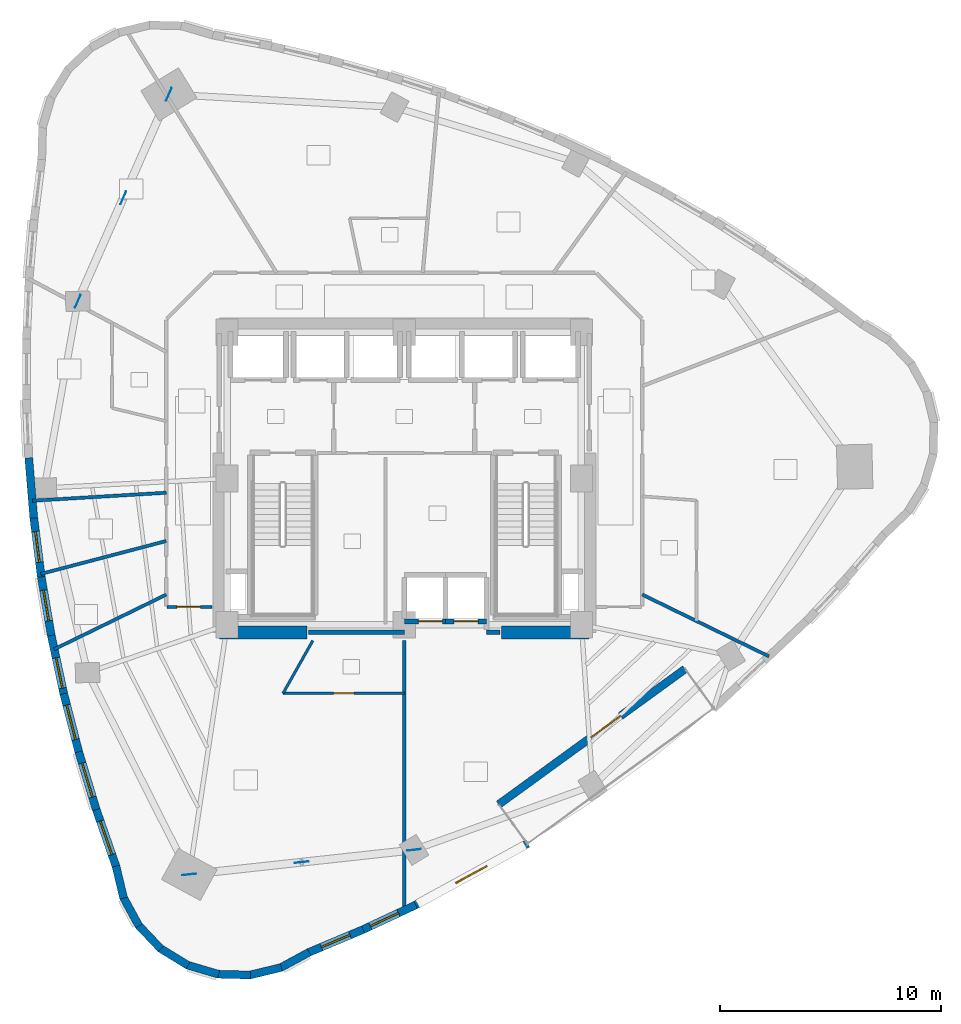
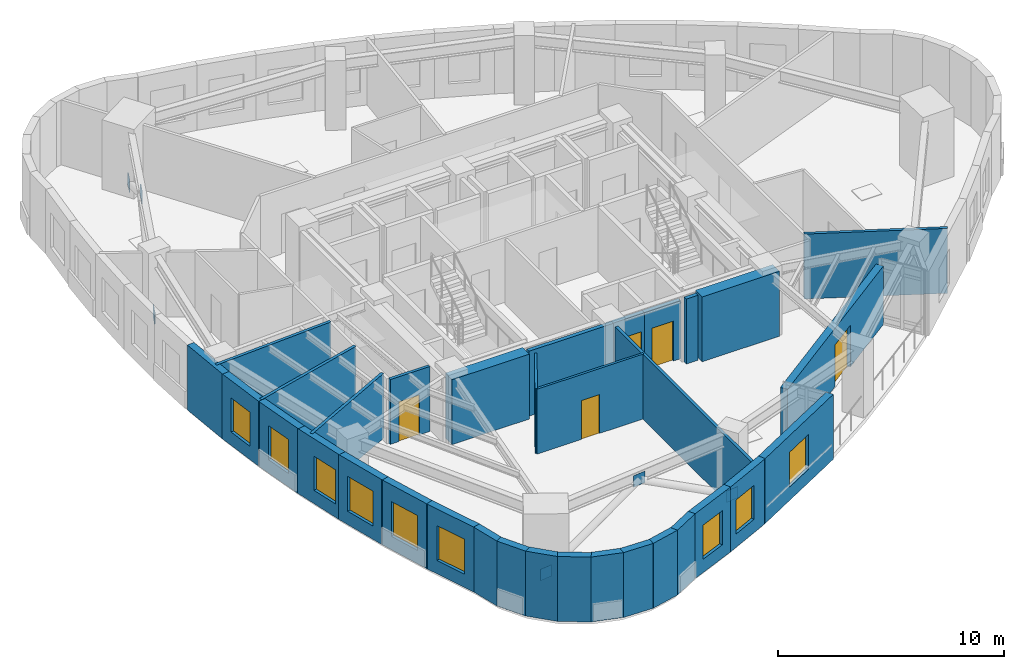
# One storey, part 5 of 12: 33 walls, 9 windows, 6 plates, 5 doors, 14 openings.
"""IFC4 building model written with IfcOpenShell, lengths in metres."""

from ifc_helpers import new_model, si_unit, direction, frame, frame_2d, origin, origin_2d, place, context, subcontext, project, spatial, rectangle, extrude, material, layer, layer_set, type_object, element, fill, save


model = new_model("IFC4")

# Units and contexts
model_context = context("Model", 3, precision=1e-05, world=origin(), true_north=direction((0.0, 1.0)))
body_context = subcontext(model_context, "Body", "Model", "MODEL_VIEW")
ifc_project = project(units=[si_unit("LENGTHUNIT", "METRE"), si_unit("AREAUNIT", "SQUARE_METRE"), si_unit("VOLUMEUNIT", "CUBIC_METRE"), si_unit("PLANEANGLEUNIT", "RADIAN"), si_unit("MASSUNIT", "GRAM", prefix="KILO")], contexts=[model_context])

# Site, building, storey
site_placement = place(None, origin())
site = spatial("IfcSite", under=ifc_project, at=site_placement, CompositionType="ELEMENT")
building_placement = place(site_placement, origin())
building = spatial("IfcBuilding", under=site, at=building_placement, Name="Ndelora Gate Hotel", CompositionType="ELEMENT")
storey_placement = place(building_placement, frame((0.0, 0.0, 149.75)))
storey = spatial("IfcBuildingStorey", under=building, at=storey_placement, Name="L37", CompositionType="ELEMENT", Elevation=149.75)

# Plates
ifc_material_1 = material(Name="Steel S355", Category="steel")
ifc_layer_1 = layer(ifc_material_1, 0.02001953125)
ifc_layer_set_1 = layer_set([ifc_layer_1], Name="Steel S355")
plate_type = type_object("IfcPlateType", Name="PL-NODE-VN1", PredefinedType="USERDEFINED", material=ifc_layer_set_1)
for number, where, z_axis, x_axis, name in (
    (1, (-10.63330078125, 17.351806640625, -0.2900390625), (0.0, 0.0, 1.0), (0.402906435714, 0.915241172621, 0.0), "Node gusset cap plate VN1"),
    (2, (-14.74658203125, 8.006591796875, -0.2900390625), (0.0, 0.0, 1.0), (0.402906435714, 0.915241172621, 0.0), "Node gusset cap plate VN1"),
    (3, (-12.68994140625, 12.67919921875, 2.639892578125), (0.0, 0.0, 1.0), (0.402906435714, 0.915241172621, 0.0), "Node gusset cap plate VN1"),
    (4, (-9.71044921875, -17.884521484375, -0.2900390625), (0.0, 0.0, 1.0), (0.994075323936, 0.108693377634, 0.0), "Node gusset cap plate VN1"),
    (5, (0.439208984375, -16.7744140625, -0.2900390625), (0.0, 0.0, 1.0), (0.994075323936, 0.108693377634, 0.0), "Node gusset cap plate VN1"),
    (6, (-4.6357421875, -17.32958984375, 2.639892578125), (0.0, 0.0, 1.0), (0.994075323936, 0.108693377634, 0.0), "Node gusset cap plate VN1"),
):
    element("IfcPlate", number, at=place(storey_placement, frame(where, z_axis=z_axis, x_axis=x_axis)), inside=storey, type_object=plate_type, Name=name, ObjectType="GUSSET_PLATE", PredefinedType="USERDEFINED", context=body_context, shape_type="SweptSolid", body=[
        extrude(rectangle(XDim=0.6201171875, YDim=0.02001953125, at=origin_2d()), origin(), (0.0, 0.0, 1.0), 0.6201171875),
    ])

# Wall, opening, door
ifc_material_2 = material(Name="Clay Brick Masonry", Category="masonry")
ifc_layer_2 = layer(ifc_material_2, 0.360107421875)
ifc_layer_set_2 = layer_set([ifc_layer_2], Name="Clay Brick Masonry")
wall_type_1 = type_object("IfcWallType", Name="WL-BRICK-360", PredefinedType="SOLIDWALL", material=ifc_layer_set_2)
wall_1_placement = place(storey_placement, frame((12.68017578125, -8.60595703125, 0.0), z_axis=(0.0, 0.0, 1.0), x_axis=(-0.809015154073, -0.587787785243, 0.0)))
wall_1 = element("IfcWall", 7, at=wall_1_placement, inside=storey, type_object=wall_type_1, Name="L37 Sky-Garden Loggia Rear Brick Wall", PredefinedType="SOLIDWALL", context=body_context, shape_type="SweptSolid", body=[
    extrude(rectangle(XDim=10.400146484375, YDim=0.360107421875, at=frame_2d((5.2001953125, 0.0))), origin(), (0.0, 0.0, 1.0), 3.14990234375),
])
opening_1_placement = place(wall_1_placement, frame((3.60009765625, 0.0, 0.0)))
opening_1 = element("IfcOpeningElement", 8, at=opening_1_placement, cuts=wall_1, Name="Opening TD1", PredefinedType="OPENING", context=body_context, shape_type="SweptSolid", body=[
    extrude(rectangle(XDim=1.64990234375, YDim=2.25, at=frame_2d((0.824951171875, 1.125))), frame((0.0, 0.18994140625, 0.0), z_axis=(0.0, -1.0, 0.0), x_axis=(1.0, 0.0, 0.0)), (0.0, 0.0, 1.0), 0.380126953125),
])
ifc_material_3 = material(Name="Architectural Bronze Glazed Door", Category="metal")
door_type_1 = type_object("IfcDoorType", Name="DR-TER-1650", OperationType="DOUBLE_DOOR_SINGLE_SWING", PredefinedType="DOOR", material=ifc_material_3)
door_1_placement = place(opening_1_placement, origin())
door_1 = element("IfcDoor", 9, at=door_1_placement, inside=storey, type_object=door_type_1, Name="L37 Sky-Garden Terrace Double Door TD1", OperationType="DOUBLE_DOOR_SINGLE_SWING", OverallHeight=2.25, OverallWidth=1.64990234375, PredefinedType="DOOR", context=body_context, shape_type="SweptSolid", body=[
    extrude(rectangle(XDim=1.64990234375, YDim=2.25, at=frame_2d((0.824951171875, 1.125))), frame((0.0, 0.02490234375, 0.0), z_axis=(0.0, -1.0, 0.0), x_axis=(1.0, 0.0, 0.0)), (0.0, 0.0, 1.0), 0.050048828125),
])
fill(opening_1, door_1)

# Wall
wall_2_placement = place(storey_placement, frame((-16.73583984375, -1.7841796875, 0.0), z_axis=(0.0, 0.0, 1.0), x_axis=(-0.083363780418, 0.99651918201, 0.0)))
element("IfcWall", 10, at=wall_2_placement, inside=storey, type_object=wall_type_1, Name="L37 Tower Brick Pier-and-Spandrel Wall TWR-14", PredefinedType="SOLIDWALL", context=body_context, shape_type="SweptSolid", body=[
    extrude(rectangle(XDim=2.7294921875, YDim=0.360107421875, at=frame_2d((1.36474609375, 0.0))), origin(), (0.0, 0.0, 1.0), 3.5),
])

# Wall, opening, window
wall_3_placement = place(storey_placement, frame((-16.398193359375, -4.4423828125, 0.0), z_axis=(0.0, 0.0, 1.0), x_axis=(-0.125663758649, 0.992072890347, 0.0)))
wall_3 = element("IfcWall", 11, at=wall_3_placement, inside=storey, type_object=wall_type_1, Name="L37 Tower Brick Pier-and-Spandrel Wall TWR-15", PredefinedType="SOLIDWALL", context=body_context, shape_type="SweptSolid", body=[
    extrude(rectangle(XDim=2.729736328125, YDim=0.360107421875, at=frame_2d((1.36474609375, 0.0))), origin(), (0.0, 0.0, 1.0), 3.5),
])
opening_2_placement = place(wall_3_placement, frame((0.664794921875, 0.0, 0.719970703125)))
opening_2 = element("IfcOpeningElement", 12, at=opening_2_placement, cuts=wall_3, Name="Opening W02", PredefinedType="OPENING", context=body_context, shape_type="SweptSolid", body=[
    extrude(rectangle(XDim=1.39990234375, YDim=1.840087890625, at=frame_2d((0.699951171875, 0.919921875))), frame((0.0, 0.18994140625, 0.0), z_axis=(0.0, -1.0, 0.0), x_axis=(1.0, 0.0, 0.0)), (0.0, 0.0, 1.0), 0.380126953125),
])
ifc_material_4 = material(Name="Insulated Low-E Double Glazing in Bronze Aluminium Frame", Category="aluminium")
window_type_1 = type_object("IfcWindowType", Name="WN-DEEP-1400", PartitioningType="SINGLE_PANEL", PredefinedType="WINDOW", material=ifc_material_4)
window_1_placement = place(opening_2_placement, origin())
window_1 = element("IfcWindow", 13, at=window_1_placement, inside=storey, type_object=window_type_1, Name="L37 Deep-Set Brick-Pier Window W02", OverallHeight=1.840087890625, OverallWidth=1.39990234375, PartitioningType="SINGLE_PANEL", PredefinedType="WINDOW", context=body_context, shape_type="SweptSolid", body=[
    extrude(rectangle(XDim=1.39990234375, YDim=1.840087890625, at=frame_2d((0.699951171875, 0.919921875))), frame((0.0, 0.030029296875, 0.0), z_axis=(0.0, -1.0, 0.0), x_axis=(1.0, 0.0, 0.0)), (0.0, 0.0, 1.0), 0.06005859375),
])
fill(opening_2, window_1)

wall_4_placement = place(storey_placement, frame((-15.947265625, -7.088623046875, 0.0), z_axis=(0.0, 0.0, 1.0), x_axis=(-0.167598097405, 0.985855404076, 0.0)))
wall_4 = element("IfcWall", 14, at=wall_4_placement, inside=storey, type_object=wall_type_1, Name="L37 Tower Brick Pier-and-Spandrel Wall TWR-16", PredefinedType="SOLIDWALL", context=body_context, shape_type="SweptSolid", body=[
    extrude(rectangle(XDim=2.734130859375, YDim=0.360107421875, at=frame_2d((1.3671875, 0.0))), origin(), (0.0, 0.0, 1.0), 3.5),
])
opening_3_placement = place(wall_4_placement, frame((0.667236328125, 0.0, 0.719970703125)))
opening_3 = element("IfcOpeningElement", 15, at=opening_3_placement, cuts=wall_4, Name="Opening W02", PredefinedType="OPENING", context=body_context, shape_type="SweptSolid", body=[
    extrude(rectangle(XDim=1.39990234375, YDim=1.840087890625, at=frame_2d((0.699951171875, 0.919921875))), frame((0.0, 0.18994140625, 0.0), z_axis=(0.0, -1.0, 0.0), x_axis=(1.0, 0.0, 0.0)), (0.0, 0.0, 1.0), 0.380126953125),
])
window_2_placement = place(opening_3_placement, origin())
window_2 = element("IfcWindow", 16, at=window_2_placement, inside=storey, type_object=window_type_1, Name="L37 Deep-Set Brick-Pier Window W02", OverallHeight=1.840087890625, OverallWidth=1.39990234375, PartitioningType="SINGLE_PANEL", PredefinedType="WINDOW", context=body_context, shape_type="SweptSolid", body=[
    extrude(rectangle(XDim=1.39990234375, YDim=1.840087890625, at=frame_2d((0.699951171875, 0.919921875))), frame((0.0, 0.030029296875, 0.0), z_axis=(0.0, -1.0, 0.0), x_axis=(1.0, 0.0, 0.0)), (0.0, 0.0, 1.0), 0.06005859375),
])
fill(opening_3, window_2)

wall_5_placement = place(storey_placement, frame((-15.383056640625, -9.722900390625, 0.0), z_axis=(0.0, 0.0, 1.0), x_axis=(-0.209000421091, 0.977915550538, 0.0)))
wall_5 = element("IfcWall", 17, at=wall_5_placement, inside=storey, type_object=wall_type_1, Name="L37 Tower Brick Pier-and-Spandrel Wall TWR-17", PredefinedType="SOLIDWALL", context=body_context, shape_type="SweptSolid", body=[
    extrude(rectangle(XDim=2.743896484375, YDim=0.360107421875, at=frame_2d((1.3720703125, 0.0))), origin(), (0.0, 0.0, 1.0), 3.5),
])
opening_4_placement = place(wall_5_placement, frame((0.260009765625, 0.0, 0.719970703125)))
opening_4 = element("IfcOpeningElement", 18, at=opening_4_placement, cuts=wall_5, Name="Opening W02", PredefinedType="OPENING", context=body_context, shape_type="SweptSolid", body=[
    extrude(rectangle(XDim=1.39990234375, YDim=1.840087890625, at=frame_2d((0.699951171875, 0.919921875))), frame((0.0, 0.18994140625, 0.0), z_axis=(0.0, -1.0, 0.0), x_axis=(1.0, 0.0, 0.0)), (0.0, 0.0, 1.0), 0.380126953125),
])
window_3_placement = place(opening_4_placement, origin())
window_3 = element("IfcWindow", 19, at=window_3_placement, inside=storey, type_object=window_type_1, Name="L37 Deep-Set Brick-Pier Window W02", OverallHeight=1.840087890625, OverallWidth=1.39990234375, PartitioningType="SINGLE_PANEL", PredefinedType="WINDOW", context=body_context, shape_type="SweptSolid", body=[
    extrude(rectangle(XDim=1.39990234375, YDim=1.840087890625, at=frame_2d((0.699951171875, 0.919921875))), frame((0.0, 0.030029296875, 0.0), z_axis=(0.0, -1.0, 0.0), x_axis=(1.0, 0.0, 0.0)), (0.0, 0.0, 1.0), 0.06005859375),
])
fill(opening_4, window_3)

wall_6_placement = place(storey_placement, frame((-14.70556640625, -12.34521484375, 0.0), z_axis=(0.0, 0.0, 1.0), x_axis=(-0.249693304339, 0.968324973224, 0.0)))
wall_6 = element("IfcWall", 20, at=wall_6_placement, inside=storey, type_object=wall_type_1, Name="L37 Tower Brick Pier-and-Spandrel Wall TWR-18", PredefinedType="SOLIDWALL", context=body_context, shape_type="SweptSolid", body=[
    extrude(rectangle(XDim=2.75830078125, YDim=0.360107421875, at=frame_2d((1.379150390625, 0.0))), origin(), (0.0, 0.0, 1.0), 3.5),
])
opening_5_placement = place(wall_6_placement, frame((0.5791015625, 0.0, 0.719970703125)))
opening_5 = element("IfcOpeningElement", 21, at=opening_5_placement, cuts=wall_6, Name="Opening W01", PredefinedType="OPENING", context=body_context, shape_type="SweptSolid", body=[
    extrude(rectangle(XDim=1.60009765625, YDim=1.8798828125, at=frame_2d((0.800048828125, 0.93994140625))), frame((0.0, 0.18994140625, 0.0), z_axis=(0.0, -1.0, 0.0), x_axis=(1.0, 0.0, 0.0)), (0.0, 0.0, 1.0), 0.380126953125),
])
window_type_2 = type_object("IfcWindowType", Name="WN-DEEP-1600", PartitioningType="SINGLE_PANEL", PredefinedType="WINDOW", material=ifc_material_4)
window_4_placement = place(opening_5_placement, origin())
window_4 = element("IfcWindow", 22, at=window_4_placement, inside=storey, type_object=window_type_2, Name="L37 Deep-Set Brick-Pier Window W01", OverallHeight=1.8798828125, OverallWidth=1.60009765625, PartitioningType="SINGLE_PANEL", PredefinedType="WINDOW", context=body_context, shape_type="SweptSolid", body=[
    extrude(rectangle(XDim=1.60009765625, YDim=1.8798828125, at=frame_2d((0.800048828125, 0.93994140625))), frame((0.0, 0.030029296875, 0.0), z_axis=(0.0, -1.0, 0.0), x_axis=(1.0, 0.0, 0.0)), (0.0, 0.0, 1.0), 0.06005859375),
])
fill(opening_5, window_4)

wall_7_placement = place(storey_placement, frame((-13.914794921875, -14.955810546875, 0.0), z_axis=(0.0, 0.0, 1.0), x_axis=(-0.289524345403, 0.957170650103, 0.0)))
wall_7 = element("IfcWall", 23, at=wall_7_placement, inside=storey, type_object=wall_type_1, Name="L37 Tower Brick Pier-and-Spandrel Wall TWR-19", PredefinedType="SOLIDWALL", context=body_context, shape_type="SweptSolid", body=[
    extrude(rectangle(XDim=2.777587890625, YDim=0.360107421875, at=frame_2d((1.388671875, 0.0))), origin(), (0.0, 0.0, 1.0), 3.5),
])
opening_6_placement = place(wall_7_placement, frame((0.5888671875, 0.0, 0.719970703125)))
opening_6 = element("IfcOpeningElement", 24, at=opening_6_placement, cuts=wall_7, Name="Opening W01", PredefinedType="OPENING", context=body_context, shape_type="SweptSolid", body=[
    extrude(rectangle(XDim=1.60009765625, YDim=1.8798828125, at=frame_2d((0.800048828125, 0.93994140625))), frame((0.0, 0.18994140625, 0.0), z_axis=(0.0, -1.0, 0.0), x_axis=(1.0, 0.0, 0.0)), (0.0, 0.0, 1.0), 0.380126953125),
])
window_5_placement = place(opening_6_placement, origin())
window_5 = element("IfcWindow", 25, at=window_5_placement, inside=storey, type_object=window_type_2, Name="L37 Deep-Set Brick-Pier Window W01", OverallHeight=1.8798828125, OverallWidth=1.60009765625, PartitioningType="SINGLE_PANEL", PredefinedType="WINDOW", context=body_context, shape_type="SweptSolid", body=[
    extrude(rectangle(XDim=1.60009765625, YDim=1.8798828125, at=frame_2d((0.800048828125, 0.93994140625))), frame((0.0, 0.030029296875, 0.0), z_axis=(0.0, -1.0, 0.0), x_axis=(1.0, 0.0, 0.0)), (0.0, 0.0, 1.0), 0.06005859375),
])
fill(opening_6, window_5)

wall_8_placement = place(storey_placement, frame((-13.0107421875, -17.55419921875, 0.0), z_axis=(0.0, 0.0, 1.0), x_axis=(-0.328229893061, 0.944597870684, 0.0)))
wall_8 = element("IfcWall", 26, at=wall_8_placement, inside=storey, type_object=wall_type_1, Name="L37 Tower Brick Pier-and-Spandrel Wall TWR-20", PredefinedType="SOLIDWALL", context=body_context, shape_type="SweptSolid", body=[
    extrude(rectangle(XDim=2.80126953125, YDim=0.360107421875, at=frame_2d((1.400634765625, 0.0))), origin(), (0.0, 0.0, 1.0), 3.5),
])
opening_7_placement = place(wall_8_placement, frame((0.6005859375, 0.0, 0.719970703125)))
opening_7 = element("IfcOpeningElement", 27, at=opening_7_placement, cuts=wall_8, Name="Opening W01", PredefinedType="OPENING", context=body_context, shape_type="SweptSolid", body=[
    extrude(rectangle(XDim=1.60009765625, YDim=1.8798828125, at=frame_2d((0.800048828125, 0.93994140625))), frame((0.0, 0.18994140625, 0.0), z_axis=(0.0, -1.0, 0.0), x_axis=(1.0, 0.0, 0.0)), (0.0, 0.0, 1.0), 0.380126953125),
])
window_6_placement = place(opening_7_placement, origin())
window_6 = element("IfcWindow", 28, at=window_6_placement, inside=storey, type_object=window_type_2, Name="L37 Deep-Set Brick-Pier Window W01", OverallHeight=1.8798828125, OverallWidth=1.60009765625, PartitioningType="SINGLE_PANEL", PredefinedType="WINDOW", context=body_context, shape_type="SweptSolid", body=[
    extrude(rectangle(XDim=1.60009765625, YDim=1.8798828125, at=frame_2d((0.800048828125, 0.93994140625))), frame((0.0, 0.030029296875, 0.0), z_axis=(0.0, -1.0, 0.0), x_axis=(1.0, 0.0, 0.0)), (0.0, 0.0, 1.0), 0.06005859375),
])
fill(opening_7, window_6)

# Walls
wall_9_placement = place(storey_placement, frame((-12.677978515625, -18.950927734375, 0.0), z_axis=(0.0, 0.0, 1.0), x_axis=(-0.23351590147, 0.972352983109, 0.0)))
element("IfcWall", 29, at=wall_9_placement, inside=storey, type_object=wall_type_1, Name="L37 Tower Brick Pier-and-Spandrel Wall TWR-21", PredefinedType="SOLIDWALL", context=body_context, shape_type="SweptSolid", body=[
    extrude(rectangle(XDim=1.485595703125, YDim=0.360107421875, at=frame_2d((0.74267578125, 0.0))), origin(), (0.0, 0.0, 1.0), 3.5),
])
for number, where, z_axis, x_axis, name in (
    (30, (-11.98681640625, -20.21044921875, 0.0), (0.0, 0.0, 1.0), (-0.477193395873, 0.878798306174, 0.0), "L37 Tower Brick Pier-and-Spandrel Wall TWR-22"),
    (31, (-10.9931640625, -21.248046875, 0.0), (0.0, 0.0, 1.0), (-0.688464400899, 0.725270134981, 0.0), "L37 Tower Brick Pier-and-Spandrel Wall TWR-23"),
    (32, (-9.764892578125, -21.993408203125, 0.0), (0.0, 0.0, 1.0), (-0.852554021927, 0.522639110378, 0.0), "L37 Tower Brick Pier-and-Spandrel Wall TWR-24"),
    (33, (-8.385498046875, -22.39501953125, 0.0), (0.0, 0.0, 1.0), (-0.958851135896, 0.283909315084, 0.0), "L37 Tower Brick Pier-and-Spandrel Wall TWR-25"),
    (34, (-6.94921875, -22.42626953125, 0.0), (0.0, 0.0, 1.0), (-0.999654374037, 0.026289398397, 0.0), "L37 Tower Brick Pier-and-Spandrel Wall TWR-26"),
    (35, (-5.5537109375, -22.084716796875, 0.0), (0.0, 0.0, 1.0), (-0.972399232605, -0.233323235941, 0.0), "L37 Tower Brick Pier-and-Spandrel Wall TWR-27"),
    (36, (-4.294189453125, -21.393310546875, 0.0), (0.0, 0.0, 1.0), (-0.878835716595, -0.477124494484, 0.0), "L37 Tower Brick Pier-and-Spandrel Wall TWR-28"),
):
    element("IfcWall", number, at=place(storey_placement, frame(where, z_axis=z_axis, x_axis=x_axis)), inside=storey, type_object=wall_type_1, Name=name, PredefinedType="SOLIDWALL", context=body_context, shape_type="SweptSolid", body=[
        extrude(rectangle(XDim=1.48583984375, YDim=0.360107421875, at=frame_2d((0.742919921875, 0.0))), origin(), (0.0, 0.0, 1.0), 3.5),
    ])

# Wall, opening, window
wall_10_placement = place(storey_placement, frame((-1.85791015625, -20.372314453125, 0.0), z_axis=(0.0, 0.0, 1.0), x_axis=(-0.921913438733, -0.387395936327, 0.0)))
wall_10 = element("IfcWall", 37, at=wall_10_placement, inside=storey, type_object=wall_type_1, Name="L37 Tower Brick Pier-and-Spandrel Wall TWR-29", PredefinedType="SOLIDWALL", context=body_context, shape_type="SweptSolid", body=[
    extrude(rectangle(XDim=2.691650390625, YDim=0.360107421875, at=frame_2d((1.345703125, 0.0))), origin(), (0.0, 0.0, 1.0), 3.5),
])
opening_8_placement = place(wall_10_placement, frame((0.645751953125, 0.0, 0.719970703125)))
opening_8 = element("IfcOpeningElement", 38, at=opening_8_placement, cuts=wall_10, Name="Opening W02", PredefinedType="OPENING", context=body_context, shape_type="SweptSolid", body=[
    extrude(rectangle(XDim=1.39990234375, YDim=1.840087890625, at=frame_2d((0.699951171875, 0.919921875))), frame((0.0, 0.18994140625, 0.0), z_axis=(0.0, -1.0, 0.0), x_axis=(1.0, 0.0, 0.0)), (0.0, 0.0, 1.0), 0.380126953125),
])
window_7_placement = place(opening_8_placement, origin())
window_7 = element("IfcWindow", 39, at=window_7_placement, inside=storey, type_object=window_type_1, Name="L37 Deep-Set Brick-Pier Window W02", OverallHeight=1.840087890625, OverallWidth=1.39990234375, PartitioningType="SINGLE_PANEL", PredefinedType="WINDOW", context=body_context, shape_type="SweptSolid", body=[
    extrude(rectangle(XDim=1.39990234375, YDim=1.840087890625, at=frame_2d((0.699951171875, 0.919921875))), frame((0.0, 0.030029296875, 0.0), z_axis=(0.0, -1.0, 0.0), x_axis=(1.0, 0.0, 0.0)), (0.0, 0.0, 1.0), 0.06005859375),
])
fill(opening_8, window_7)

wall_11_placement = place(storey_placement, frame((0.515380859375, -19.262939453125, 0.0), z_axis=(0.0, 0.0, 1.0), x_axis=(-0.906085000499, -0.423095700606, 0.0)))
wall_11 = element("IfcWall", 40, at=wall_11_placement, inside=storey, type_object=wall_type_1, Name="L37 Tower Brick Pier-and-Spandrel Wall TWR-30", PredefinedType="SOLIDWALL", context=body_context, shape_type="SweptSolid", body=[
    extrude(rectangle(XDim=2.669921875, YDim=0.360107421875, at=frame_2d((1.3349609375, 0.0))), origin(), (0.0, 0.0, 1.0), 3.5),
])
opening_9_placement = place(wall_11_placement, frame((0.860107421875, 0.0, 0.719970703125)))
opening_9 = element("IfcOpeningElement", 41, at=opening_9_placement, cuts=wall_11, Name="Opening W02", PredefinedType="OPENING", context=body_context, shape_type="SweptSolid", body=[
    extrude(rectangle(XDim=1.39990234375, YDim=1.840087890625, at=frame_2d((0.699951171875, 0.919921875))), frame((0.0, 0.18994140625, 0.0), z_axis=(0.0, -1.0, 0.0), x_axis=(1.0, 0.0, 0.0)), (0.0, 0.0, 1.0), 0.380126953125),
])
window_8_placement = place(opening_9_placement, origin())
window_8 = element("IfcWindow", 42, at=window_8_placement, inside=storey, type_object=window_type_1, Name="L37 Deep-Set Brick-Pier Window W02", OverallHeight=1.840087890625, OverallWidth=1.39990234375, PartitioningType="SINGLE_PANEL", PredefinedType="WINDOW", context=body_context, shape_type="SweptSolid", body=[
    extrude(rectangle(XDim=1.39990234375, YDim=1.840087890625, at=frame_2d((0.699951171875, 0.919921875))), frame((0.0, 0.030029296875, 0.0), z_axis=(0.0, -1.0, 0.0), x_axis=(1.0, 0.0, 0.0)), (0.0, 0.0, 1.0), 0.06005859375),
])
fill(opening_9, window_8)

wall_12_placement = place(storey_placement, frame((5.581298828125, -16.48681640625, 0.0), z_axis=(0.0, 0.0, 1.0), x_axis=(-0.877084079585, -0.480336879012, 0.0)))
wall_12 = element("IfcWall", 43, at=wall_12_placement, inside=storey, type_object=wall_type_1, Name="L37 Tower Brick Pier-and-Spandrel Wall TWR-31", PredefinedType="SOLIDWALL", context=body_context, shape_type="SweptSolid", body=[
    extrude(rectangle(XDim=5.826904296875, YDim=0.360107421875, at=frame_2d((2.91357421875, 0.0))), origin(), (0.0, 0.0, 1.0), 3.5),
])
opening_10_placement = place(wall_12_placement, frame((2.11328125, 0.0, 0.719970703125)))
opening_10 = element("IfcOpeningElement", 44, at=opening_10_placement, cuts=wall_12, Name="Opening W01", PredefinedType="OPENING", context=body_context, shape_type="SweptSolid", body=[
    extrude(rectangle(XDim=1.60009765625, YDim=1.8798828125, at=frame_2d((0.800048828125, 0.93994140625))), frame((0.0, 0.18994140625, 0.0), z_axis=(0.0, -1.0, 0.0), x_axis=(1.0, 0.0, 0.0)), (0.0, 0.0, 1.0), 0.380126953125),
])
window_9_placement = place(opening_10_placement, origin())
window_9 = element("IfcWindow", 45, at=window_9_placement, inside=storey, type_object=window_type_2, Name="L37 Deep-Set Brick-Pier Window W01", OverallHeight=1.8798828125, OverallWidth=1.60009765625, PartitioningType="SINGLE_PANEL", PredefinedType="WINDOW", context=body_context, shape_type="SweptSolid", body=[
    extrude(rectangle(XDim=1.60009765625, YDim=1.8798828125, at=frame_2d((0.800048828125, 0.93994140625))), frame((0.0, 0.030029296875, 0.0), z_axis=(0.0, -1.0, 0.0), x_axis=(1.0, 0.0, 0.0)), (0.0, 0.0, 1.0), 0.06005859375),
])
fill(opening_10, window_9)

# Walls
ifc_material_5 = material(Name="Concrete C60/75", Category="concrete")
ifc_layer_3 = layer(ifc_material_5, 0.60009765625)
ifc_layer_set_3 = layer_set([ifc_layer_3], Name="Concrete C60/75")
wall_type_2 = type_object("IfcWallType", Name="WL-CORE-600", PredefinedType="SHEAR", material=ifc_layer_set_3)
for number, where, z_axis, x_axis, name in (
    (46, (-8.35009765625, -6.949951171875, 0.0), (0.0, 0.0, 1.0), (1.0, 0.0, 0.0), "L37 Core Shear Wall S-W"),
    (47, (4.39990234375, -6.949951171875, 0.0), (0.0, 0.0, 1.0), (1.0, 0.0, 0.0), "L37 Core Shear Wall S-E"),
):
    element("IfcWall", number, at=place(storey_placement, frame(where, z_axis=z_axis, x_axis=x_axis)), inside=storey, type_object=wall_type_2, Name=name, PredefinedType="SHEAR", context=body_context, shape_type="SweptSolid", body=[
        extrude(rectangle(XDim=3.9501953125, YDim=0.60009765625, at=frame_2d((1.97509765625, 0.0))), origin(), (0.0, 0.0, 1.0), 3.5),
    ])
ifc_material_6 = material(Name="Concrete C40/50", Category="concrete")
ifc_layer_4 = layer(ifc_material_6, 0.199951171875)
ifc_layer_set_4 = layer_set([ifc_layer_4], Name="Concrete C40/50")
wall_type_3 = type_object("IfcWallType", Name="WL-FIRE-200", PredefinedType="PARTITIONING", material=ifc_layer_set_4)
wall_13_placement = place(storey_placement, frame((-4.320068359375, -6.949951171875, 0.0), z_axis=(0.0, 0.0, 1.0), x_axis=(1.0, 0.0, 0.0)))
element("IfcWall", 48, at=wall_13_placement, inside=storey, type_object=wall_type_3, Name="L37 Interior Wall IW-2", PredefinedType="PARTITIONING", context=body_context, shape_type="SweptSolid", body=[
    extrude(rectangle(XDim=4.320068359375, YDim=0.199951171875, at=frame_2d((2.16015625, 0.0))), origin(), (0.0, 0.0, 1.0), 3.5),
])
wall_14_placement = place(storey_placement, frame((3.719970703125, -6.949951171875, 0.0), z_axis=(0.0, 0.0, 1.0), x_axis=(1.0, 0.0, 0.0)))
element("IfcWall", 49, at=wall_14_placement, inside=storey, type_object=wall_type_3, Name="L37 Interior Wall IW-2", PredefinedType="PARTITIONING", context=body_context, shape_type="SweptSolid", body=[
    extrude(rectangle(XDim=0.60009765625, YDim=0.199951171875, at=frame_2d((0.300048828125, 0.0))), origin(), (0.0, 0.0, 1.0), 3.5),
])

# Wall, opening, door
ifc_material_7 = material(Name="Fire-Rated Gypsum Stud Partition", Category="gypsum")
ifc_layer_5 = layer(ifc_material_7, 0.14990234375)
ifc_layer_set_5 = layer_set([ifc_layer_5], Name="Fire-Rated Gypsum Stud Partition")
wall_type_4 = type_object("IfcWallType", Name="WL-PART-150", PredefinedType="PARTITIONING", material=ifc_layer_set_5)
wall_15_placement = place(storey_placement, frame((-8.68994140625, -5.800048828125, 0.0), z_axis=(0.0, 0.0, 1.0), x_axis=(-1.0, 0.0, 0.0)))
wall_15 = element("IfcWall", 50, at=wall_15_placement, inside=storey, type_object=wall_type_4, Name="L37 Interior Wall IW-5", PredefinedType="PARTITIONING", context=body_context, shape_type="SweptSolid", body=[
    extrude(rectangle(XDim=2.02001953125, YDim=0.14990234375, at=frame_2d((1.010009765625, 0.0))), origin(), (0.0, 0.0, 1.0), 3.5),
])
opening_11_placement = place(wall_15_placement, frame((0.52001953125, 0.0, 0.0)))
opening_11 = element("IfcOpeningElement", 51, at=opening_11_placement, cuts=wall_15, Name="Opening D07", PredefinedType="OPENING", context=body_context, shape_type="SweptSolid", body=[
    extrude(rectangle(XDim=1.06005859375, YDim=2.14990234375, at=frame_2d((0.530029296875, 1.074951171875))), frame((0.0, 0.0849609375, 0.0), z_axis=(0.0, -1.0, 0.0), x_axis=(1.0, 0.0, 0.0)), (0.0, 0.0, 1.0), 0.169921875),
])
ifc_material_8 = material(Name="Diplomatic Suite Acoustic Entrance Door", Category="wood")
door_type_2 = type_object("IfcDoorType", Name="DR-SUITE-1060", OperationType="SINGLE_SWING_LEFT", PredefinedType="DOOR", material=ifc_material_8)
door_2_placement = place(opening_11_placement, origin())
door_2 = element("IfcDoor", 52, at=door_2_placement, inside=storey, type_object=door_type_2, Name="L37 Ambassador Corner Suite 4001 Entrance Door", OperationType="SINGLE_SWING_LEFT", OverallHeight=2.14990234375, OverallWidth=1.06005859375, PredefinedType="DOOR", context=body_context, shape_type="SweptSolid", body=[
    extrude(rectangle(XDim=1.06005859375, YDim=2.14990234375, at=frame_2d((0.530029296875, 1.074951171875))), frame((0.0, 0.02490234375, 0.0), z_axis=(0.0, -1.0, 0.0), x_axis=(1.0, 0.0, 0.0)), (0.0, 0.0, 1.0), 0.050048828125),
])
fill(opening_11, door_2)

# Walls
wall_16_placement = place(storey_placement, frame((-10.75, -5.2431640625, 0.0), z_axis=(0.0, 0.0, 1.0), x_axis=(-0.898795936553, -0.438367271172, 0.0)))
element("IfcWall", 53, at=wall_16_placement, inside=storey, type_object=wall_type_4, Name="L37 Interior Wall IW-5", PredefinedType="PARTITIONING", context=body_context, shape_type="SweptSolid", body=[
    extrude(rectangle(XDim=5.6328125, YDim=0.14990234375, at=frame_2d((2.81640625, 0.0))), origin(), (0.0, 0.0, 1.0), 3.5),
])
wall_17_placement = place(storey_placement, frame((0.0, -7.320068359375, 0.0), z_axis=(0.0, 0.0, 1.0), x_axis=(0.0, -1.0, 0.0)))
element("IfcWall", 54, at=wall_17_placement, inside=storey, type_object=wall_type_4, Name="L37 Interior Wall IW-5", PredefinedType="PARTITIONING", context=body_context, shape_type="SweptSolid", body=[
    extrude(rectangle(XDim=12.18359375, YDim=0.14990234375, at=frame_2d((6.091796875, 0.0))), origin(), (0.0, 0.0, 1.0), 3.5),
])
wall_18_placement = place(storey_placement, frame((10.75, -5.2431640625, 0.0), z_axis=(0.0, 0.0, 1.0), x_axis=(0.898794987621, -0.438369216787, 0.0)))
element("IfcWall", 55, at=wall_18_placement, inside=storey, type_object=wall_type_4, Name="L37 Interior Wall IW-5", PredefinedType="PARTITIONING", context=body_context, shape_type="SweptSolid", body=[
    extrude(rectangle(XDim=6.364501953125, YDim=0.14990234375, at=frame_2d((3.18212890625, 0.0))), origin(), (0.0, 0.0, 1.0), 3.5),
])
wall_19_placement = place(storey_placement, frame((-10.75, -0.6416015625, 0.0), z_axis=(0.0, 0.0, 1.0), x_axis=(-0.9982220436, -0.059604963468, 0.0)))
element("IfcWall", 56, at=wall_19_placement, inside=storey, type_object=wall_type_4, Name="L37 Interior Wall IW-5", PredefinedType="PARTITIONING", context=body_context, shape_type="SweptSolid", body=[
    extrude(rectangle(XDim=6.06201171875, YDim=0.14990234375, at=frame_2d((3.031005859375, 0.0))), origin(), (0.0, 0.0, 1.0), 3.5),
])
wall_20_placement = place(storey_placement, frame((-10.75, -2.82177734375, 0.0), z_axis=(0.0, 0.0, 1.0), x_axis=(-0.967231477209, -0.253896178576, 0.0)))
element("IfcWall", 57, at=wall_20_placement, inside=storey, type_object=wall_type_4, Name="L37 Interior Wall IW-5", PredefinedType="PARTITIONING", context=body_context, shape_type="SweptSolid", body=[
    extrude(rectangle(XDim=5.85693359375, YDim=0.14990234375, at=frame_2d((2.928466796875, 0.0))), origin(), (0.0, 0.0, 1.0), 3.5),
])

# Wall, opening, door
ifc_layer_6 = layer(ifc_material_6, 0.219970703125)
ifc_layer_set_6 = layer_set([ifc_layer_6], Name="Concrete C40/50")
wall_type_5 = type_object("IfcWallType", Name="WL-SHAFT-220", PredefinedType="PARTITIONING", material=ifc_layer_set_6)
wall_21_placement = place(storey_placement, frame((0.0, -6.449951171875, 0.0), z_axis=(0.0, 0.0, 1.0), x_axis=(1.0, 0.0, 0.0)))
wall_21 = element("IfcWall", 58, at=wall_21_placement, inside=storey, type_object=wall_type_5, Name="L37 Interior Wall IW-1", PredefinedType="PARTITIONING", context=body_context, shape_type="SweptSolid", body=[
    extrude(rectangle(XDim=1.860107421875, YDim=0.219970703125, at=frame_2d((0.93017578125, 0.0))), origin(), (0.0, 0.0, 1.0), 3.1201171875),
])
opening_12_placement = place(wall_21_placement, frame((0.639892578125, 0.0, 0.0)))
opening_12 = element("IfcOpeningElement", 59, at=opening_12_placement, cuts=wall_21, Name="Opening LD2", PredefinedType="OPENING", context=body_context, shape_type="SweptSolid", body=[
    extrude(rectangle(XDim=1.080078125, YDim=2.14990234375, at=frame_2d((0.5400390625, 1.074951171875))), frame((0.0, 0.1201171875, 0.0), z_axis=(0.0, -1.0, 0.0), x_axis=(1.0, 0.0, 0.0)), (0.0, 0.0, 1.0), 0.239990234375),
])
ifc_material_9 = material(Name="Brushed Bronze Stainless Lift Landing Door", Category="metal")
door_type_3 = type_object("IfcDoorType", Name="DR-LD2", OperationType="DOUBLE_DOOR_SLIDING", PredefinedType="DOOR", material=ifc_material_9)
door_3_placement = place(opening_12_placement, origin())
door_3 = element("IfcDoor", 60, at=door_3_placement, inside=storey, type_object=door_type_3, Name="L37 Lift Landing Sliding Door P2A", OperationType="DOUBLE_DOOR_SLIDING", OverallHeight=2.14990234375, OverallWidth=1.080078125, PredefinedType="DOOR", context=body_context, shape_type="SweptSolid", body=[
    extrude(rectangle(XDim=1.080078125, YDim=2.14990234375, at=frame_2d((0.5400390625, 1.074951171875))), frame((0.0, 0.02490234375, 0.0), z_axis=(0.0, -1.0, 0.0), x_axis=(1.0, 0.0, 0.0)), (0.0, 0.0, 1.0), 0.050048828125),
])
fill(opening_12, door_3)

wall_22_placement = place(storey_placement, frame((1.860107421875, -6.449951171875, 0.0), z_axis=(0.0, 0.0, 1.0), x_axis=(1.0, 0.0, 0.0)))
wall_22 = element("IfcWall", 61, at=wall_22_placement, inside=storey, type_object=wall_type_5, Name="L37 Interior Wall IW-1", PredefinedType="PARTITIONING", context=body_context, shape_type="SweptSolid", body=[
    extrude(rectangle(XDim=1.85986328125, YDim=0.219970703125, at=frame_2d((0.929931640625, 0.0))), origin(), (0.0, 0.0, 1.0), 3.1201171875),
])
opening_13_placement = place(wall_22_placement, frame((0.389892578125, 0.0, 0.0)))
opening_13 = element("IfcOpeningElement", 62, at=opening_13_placement, cuts=wall_22, Name="Opening LD2", PredefinedType="OPENING", context=body_context, shape_type="SweptSolid", body=[
    extrude(rectangle(XDim=1.080078125, YDim=2.14990234375, at=frame_2d((0.5400390625, 1.074951171875))), frame((0.0, 0.1201171875, 0.0), z_axis=(0.0, -1.0, 0.0), x_axis=(1.0, 0.0, 0.0)), (0.0, 0.0, 1.0), 0.239990234375),
])
door_4_placement = place(opening_13_placement, origin())
door_4 = element("IfcDoor", 63, at=door_4_placement, inside=storey, type_object=door_type_3, Name="L37 Lift Landing Sliding Door P2B", OperationType="DOUBLE_DOOR_SLIDING", OverallHeight=2.14990234375, OverallWidth=1.080078125, PredefinedType="DOOR", context=body_context, shape_type="SweptSolid", body=[
    extrude(rectangle(XDim=1.080078125, YDim=2.14990234375, at=frame_2d((0.5400390625, 1.074951171875))), frame((0.0, 0.02490234375, 0.0), z_axis=(0.0, -1.0, 0.0), x_axis=(1.0, 0.0, 0.0)), (0.0, 0.0, 1.0), 0.050048828125),
])
fill(opening_13, door_4)

ifc_material_10 = material(Name="Moisture-Resistant Bathroom Tile Partition", Category="gypsum")
ifc_layer_7 = layer(ifc_material_10, 0.1201171875)
ifc_layer_set_7 = layer_set([ifc_layer_7], Name="Moisture-Resistant Bathroom Tile Partition")
wall_type_6 = type_object("IfcWallType", Name="WL-WET-120", PredefinedType="PARTITIONING", material=ifc_layer_set_7)
wall_23_placement = place(storey_placement, frame((0.0, -9.699951171875, 0.0), z_axis=(0.0, 0.0, 1.0), x_axis=(-1.0, 0.0, 0.0)))
wall_23 = element("IfcWall", 64, at=wall_23_placement, inside=storey, type_object=wall_type_6, Name="L37 Interior Wall IW-7", PredefinedType="PARTITIONING", context=body_context, shape_type="SweptSolid", body=[
    extrude(rectangle(XDim=5.474609375, YDim=0.1201171875, at=frame_2d((2.7373046875, 0.0))), origin(), (0.0, 0.0, 1.0), 3.5),
])
opening_14_placement = place(wall_23_placement, frame((2.27734375, 0.0, 0.0)))
opening_14 = element("IfcOpeningElement", 65, at=opening_14_placement, cuts=wall_23, Name="Opening D03", PredefinedType="OPENING", context=body_context, shape_type="SweptSolid", body=[
    extrude(rectangle(XDim=0.919921875, YDim=2.10009765625, at=frame_2d((0.4599609375, 1.050048828125))), frame((0.0, 0.070068359375, 0.0), z_axis=(0.0, -1.0, 0.0), x_axis=(1.0, 0.0, 0.0)), (0.0, 0.0, 1.0), 0.14013671875),
])
ifc_material_11 = material(Name="Moisture-Resistant Hardwood En-Suite Door", Category="wood")
door_type_4 = type_object("IfcDoorType", Name="DR-BATH-920", OperationType="SINGLE_SWING_LEFT", PredefinedType="DOOR", material=ifc_material_11)
door_5_placement = place(opening_14_placement, origin())
door_5 = element("IfcDoor", 66, at=door_5_placement, inside=storey, type_object=door_type_4, Name="L37 En-suite Bathroom 4001 Door", OperationType="SINGLE_SWING_RIGHT", OverallHeight=2.10009765625, OverallWidth=0.919921875, PredefinedType="DOOR", context=body_context, shape_type="SweptSolid", body=[
    extrude(rectangle(XDim=0.919921875, YDim=2.10009765625, at=frame_2d((0.4599609375, 1.050048828125))), frame((0.0, 0.02490234375, 0.0), z_axis=(0.0, -1.0, 0.0), x_axis=(1.0, 0.0, 0.0)), (0.0, 0.0, 1.0), 0.050048828125),
])
fill(opening_14, door_5)

# Wall
wall_24_placement = place(storey_placement, frame((-4.13134765625, -7.320068359375, 0.0), z_axis=(0.0, 0.0, 1.0), x_axis=(-0.491533175525, -0.870858850422, 0.0)))
element("IfcWall", 67, at=wall_24_placement, inside=storey, type_object=wall_type_6, Name="L37 Interior Wall IW-7", PredefinedType="PARTITIONING", context=body_context, shape_type="SweptSolid", body=[
    extrude(rectangle(XDim=2.73291015625, YDim=0.1201171875, at=frame_2d((1.366455078125, 0.0))), origin(), (0.0, 0.0, 1.0), 3.5),
])

save(model, "model.ifc")
